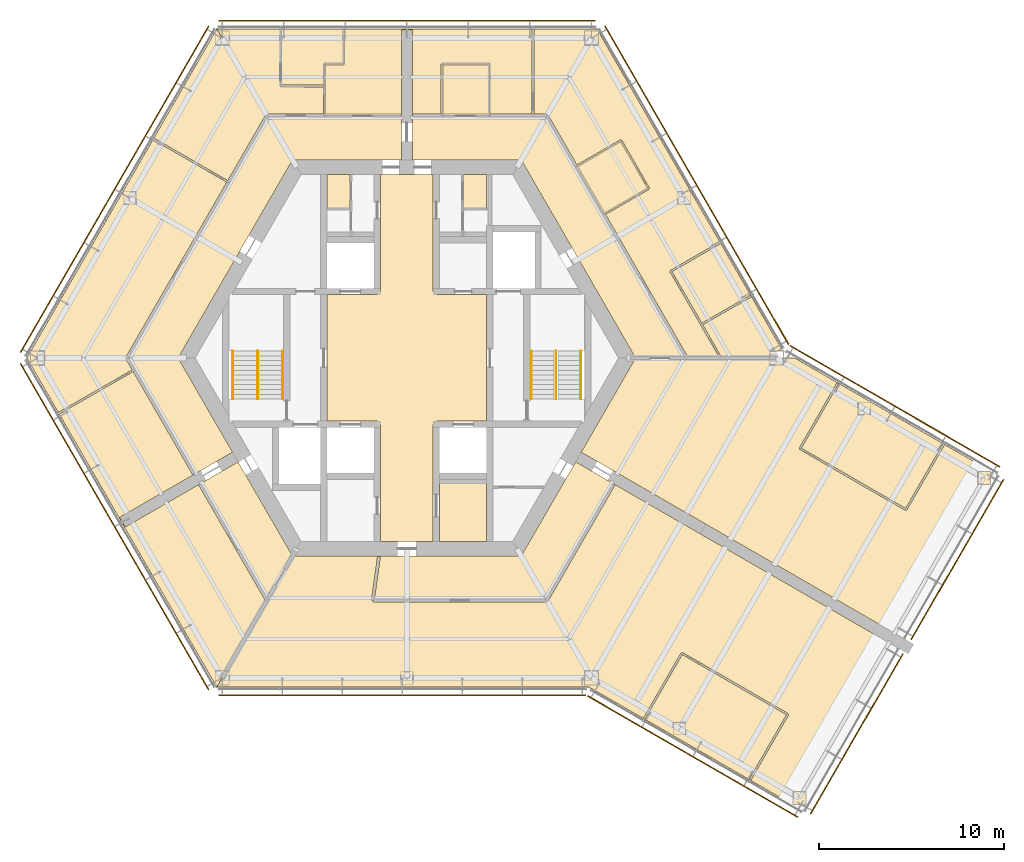
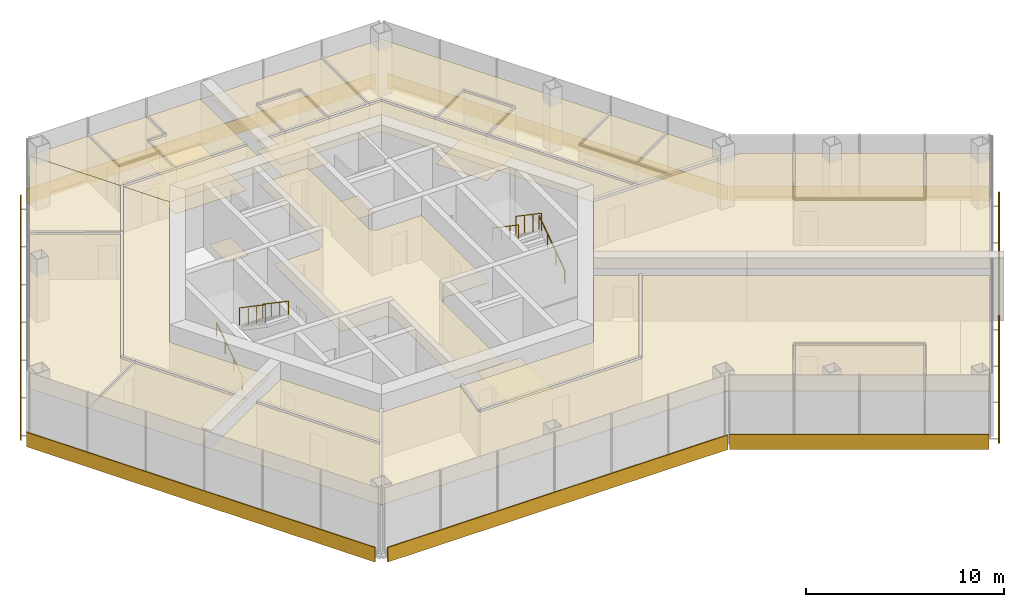
# One storey, part 15 of 15: 29 coverings, 9 shading devices, 6 railings.
"""IFC4 building model written with IfcOpenShell, lengths in metres."""

from ifc_helpers import new_model, si_unit, direction, frame, origin, origin_2d, place, context, subcontext, project, spatial, polyline, rectangle, circle, outline, extrude, material, layer, layer_set, type_object, element, save


model = new_model("IFC4")

# Units and contexts
model_context = context("Model", 3, precision=1e-05, world=origin(), true_north=direction((0.0, 1.0)))
body_context = subcontext(model_context, "Body", "Model", "MODEL_VIEW")
ifc_project = project(units=[si_unit("LENGTHUNIT", "METRE"), si_unit("AREAUNIT", "SQUARE_METRE"), si_unit("VOLUMEUNIT", "CUBIC_METRE"), si_unit("PLANEANGLEUNIT", "RADIAN"), si_unit("MASSUNIT", "GRAM", prefix="KILO")], contexts=[model_context])

# Site, building, storey
site_placement = place(None, origin())
site = spatial("IfcSite", under=ifc_project, at=site_placement, CompositionType="ELEMENT")
building_placement = place(site_placement, origin())
building = spatial("IfcBuilding", under=site, at=building_placement, Name="Kasaneha Research Tower", CompositionType="ELEMENT")
storey_placement = place(building_placement, frame((0.0, 0.0, 220.60009765625)))
storey = spatial("IfcBuildingStorey", under=building, at=storey_placement, Name="L55", CompositionType="ELEMENT", Elevation=220.60009765625)

# Covering
ifc_material_1 = material(Name="Aluminium panel ceiling", Category="aluminium")
ifc_layer_1 = layer(ifc_material_1, 0.0400390625)
ifc_layer_set_1 = layer_set([ifc_layer_1], Name="Lift lobby ceiling 40")
covering_type_1 = type_object("IfcCoveringType", Name="Lift lobby ceiling 40", PredefinedType="CEILING", material=ifc_layer_set_1)
covering_1_placement = place(storey_placement, frame((0.0, 0.0, 2.699951171875)))
element("IfcCovering", 1, at=covering_1_placement, inside=storey, type_object=covering_type_1, Name="Ceiling L55-01", PredefinedType="CEILING", context=body_context, shape_type="SweptSolid", body=[
    extrude(outline(polyline([(1.425048828125, 9.925048828125), (1.425048828125, 3.60009765625), (1.60009765625, 3.60009765625), (1.60009765625, 3.425048828125), (4.324951171875, 3.425048828125), (4.324951171875, -3.425048828125), (1.60009765625, -3.425048828125), (1.60009765625, -3.60009765625), (1.425048828125, -3.60009765625), (1.425048828125, -9.925048828125), (-1.425048828125, -9.925048828125), (-1.425048828125, -3.60009765625), (-1.60009765625, -3.60009765625), (-1.60009765625, -3.425048828125), (-4.324951171875, -3.425048828125), (-4.324951171875, 3.425048828125), (-1.60009765625, 3.425048828125), (-1.60009765625, 3.60009765625), (-1.425048828125, 3.60009765625), (-1.425048828125, 9.925048828125), (1.425048828125, 9.925048828125)])), origin(), (0.0, 0.0, 1.0), 0.0400390625),
])

# Railings
ifc_material_2 = material(Name="Steel", Category="steel")
railing_type_1 = type_object("IfcRailingType", Name="Stair balustrade 1100", PredefinedType="GUARDRAIL", material=ifc_material_2)
for number, where, name in (
    (2, (8.074951171875, 0.375, 2.127197265625), "Stair 1 balustrade L55"),
    (3, (-8.074951171875, 0.375, 2.127197265625), "Stair 2 balustrade L55"),
):
    element("IfcRailing", number, at=place(storey_placement, frame(where)), inside=storey, type_object=railing_type_1, Name=name, PredefinedType="GUARDRAIL", context=body_context, shape_type="SweptSolid", body=[
        extrude(circle(Radius=0.02392578125, at=origin_2d()), frame((0.0, 0.0, 1.076171875), z_axis=(0.0, -0.826240473404, 0.563317565952), x_axis=(1.0, 0.0, 0.0)), (0.0, 0.0, 1.0), 3.14697265625),
        extrude(circle(Radius=0.02099609375, at=origin_2d()), origin(), (0.0, 0.0, 1.0), 1.052001953125),
        extrude(circle(Radius=0.02099609375, at=origin_2d()), frame((0.0, -0.86669921875, 0.5908203125)), (0.0, 0.0, 1.0), 1.052001953125),
        extrude(circle(Radius=0.02099609375, at=origin_2d()), frame((0.0, -1.7333984375, 1.181884765625)), (0.0, 0.0, 1.0), 1.052001953125),
        extrude(circle(Radius=0.02099609375, at=origin_2d()), frame((0.0, -2.60009765625, 1.772705078125)), (0.0, 0.0, 1.0), 1.052001953125),
    ])
ifc_material_3 = material(Name="Steel", Category="steel")
railing_type_2 = type_object("IfcRailingType", Name="Stair handrail 850", PredefinedType="HANDRAIL", material=ifc_material_3)
railing_1_placement = place(storey_placement, frame((9.425048828125, -2.22509765625, 0.17724609375)))
element("IfcRailing", 4, at=railing_1_placement, inside=storey, type_object=railing_type_2, Name="Stair 1 handrail L55", PredefinedType="HANDRAIL", context=body_context, shape_type="SweptSolid", body=[
    extrude(circle(Radius=0.02392578125, at=origin_2d()), frame((0.0, 0.0, 0.826171875), z_axis=(0.0, 0.826240473404, 0.563317565952), x_axis=(-1.0, 0.0, 0.0)), (0.0, 0.0, 1.0), 3.14697265625),
    extrude(circle(Radius=0.02099609375, at=origin_2d()), origin(), (0.0, 0.0, 1.0), 0.802001953125),
    extrude(circle(Radius=0.02099609375, at=origin_2d()), frame((0.0, 0.86669921875, 0.5908203125)), (0.0, 0.0, 1.0), 0.802001953125),
    extrude(circle(Radius=0.02099609375, at=origin_2d()), frame((0.0, 1.7333984375, 1.181884765625)), (0.0, 0.0, 1.0), 0.802001953125),
    extrude(circle(Radius=0.02099609375, at=origin_2d()), frame((0.0, 2.60009765625, 1.772705078125)), (0.0, 0.0, 1.0), 0.802001953125),
])
railing_2_placement = place(storey_placement, frame((6.72509765625, 0.375, 2.127197265625)))
element("IfcRailing", 5, at=railing_2_placement, inside=storey, type_object=railing_type_2, Name="Stair 1 handrail L55", PredefinedType="HANDRAIL", context=body_context, shape_type="SweptSolid", body=[
    extrude(circle(Radius=0.02392578125, at=origin_2d()), frame((0.0, 0.0, 0.826171875), z_axis=(0.0, -0.826240473404, 0.563317565952), x_axis=(1.0, 0.0, 0.0)), (0.0, 0.0, 1.0), 3.14697265625),
    extrude(circle(Radius=0.02099609375, at=origin_2d()), origin(), (0.0, 0.0, 1.0), 0.802001953125),
    extrude(circle(Radius=0.02099609375, at=origin_2d()), frame((0.0, -0.86669921875, 0.5908203125)), (0.0, 0.0, 1.0), 0.802001953125),
    extrude(circle(Radius=0.02099609375, at=origin_2d()), frame((0.0, -1.7333984375, 1.181884765625)), (0.0, 0.0, 1.0), 0.802001953125),
    extrude(circle(Radius=0.02099609375, at=origin_2d()), frame((0.0, -2.60009765625, 1.772705078125)), (0.0, 0.0, 1.0), 0.802001953125),
])
railing_3_placement = place(storey_placement, frame((-9.425048828125, -2.22509765625, 0.17724609375)))
element("IfcRailing", 6, at=railing_3_placement, inside=storey, type_object=railing_type_2, Name="Stair 2 handrail L55", PredefinedType="HANDRAIL", context=body_context, shape_type="SweptSolid", body=[
    extrude(circle(Radius=0.02392578125, at=origin_2d()), frame((0.0, 0.0, 0.826171875), z_axis=(0.0, 0.826240473404, 0.563317565952), x_axis=(-1.0, 0.0, 0.0)), (0.0, 0.0, 1.0), 3.14697265625),
    extrude(circle(Radius=0.02099609375, at=origin_2d()), origin(), (0.0, 0.0, 1.0), 0.802001953125),
    extrude(circle(Radius=0.02099609375, at=origin_2d()), frame((0.0, 0.86669921875, 0.5908203125)), (0.0, 0.0, 1.0), 0.802001953125),
    extrude(circle(Radius=0.02099609375, at=origin_2d()), frame((0.0, 1.7333984375, 1.181884765625)), (0.0, 0.0, 1.0), 0.802001953125),
    extrude(circle(Radius=0.02099609375, at=origin_2d()), frame((0.0, 2.60009765625, 1.772705078125)), (0.0, 0.0, 1.0), 0.802001953125),
])
railing_4_placement = place(storey_placement, frame((-6.72509765625, 0.375, 2.127197265625)))
element("IfcRailing", 7, at=railing_4_placement, inside=storey, type_object=railing_type_2, Name="Stair 2 handrail L55", PredefinedType="HANDRAIL", context=body_context, shape_type="SweptSolid", body=[
    extrude(circle(Radius=0.02392578125, at=origin_2d()), frame((0.0, 0.0, 0.826171875), z_axis=(0.0, -0.826240473404, 0.563317565952), x_axis=(1.0, 0.0, 0.0)), (0.0, 0.0, 1.0), 3.14697265625),
    extrude(circle(Radius=0.02099609375, at=origin_2d()), origin(), (0.0, 0.0, 1.0), 0.802001953125),
    extrude(circle(Radius=0.02099609375, at=origin_2d()), frame((0.0, -0.86669921875, 0.5908203125)), (0.0, 0.0, 1.0), 0.802001953125),
    extrude(circle(Radius=0.02099609375, at=origin_2d()), frame((0.0, -1.7333984375, 1.181884765625)), (0.0, 0.0, 1.0), 0.802001953125),
    extrude(circle(Radius=0.02099609375, at=origin_2d()), frame((0.0, -2.60009765625, 1.772705078125)), (0.0, 0.0, 1.0), 0.802001953125),
])

# Coverings
ifc_material_4 = material(Name="Gypsum ceiling board", Category="gypsum")
ifc_layer_2 = layer(ifc_material_4, 0.02001953125)
ifc_layer_set_2 = layer_set([ifc_layer_2], Name="Suspended ceiling 20")
covering_type_2 = type_object("IfcCoveringType", Name="Suspended ceiling 20", PredefinedType="CEILING", material=ifc_layer_set_2)
covering_2_placement = place(storey_placement, frame((0.0, 0.0, 2.7998046875)))
element("IfcCovering", 8, at=covering_2_placement, inside=storey, type_object=covering_type_2, Name="Ceiling L55-27", PredefinedType="CEILING", context=body_context, shape_type="SweptSolid", body=[
    extrude(outline(polyline([(6.192138671875, 10.72509765625), (0.300048828125, 10.72509765625), (0.300048828125, 11.72509765625), (0.300048828125, 12.72509765625), (0.300048828125, 13.125), (0.320068359375, 13.125), (0.320068359375, 13.050048828125), (1.89501953125, 13.050048828125), (1.905029296875, 13.050048828125), (4.4599609375, 13.050048828125), (4.469970703125, 13.050048828125), (6.826416015625, 13.050048828125), (6.8359375, 13.050048828125), (7.534423828125, 13.050048828125), (9.103759765625, 10.33154296875), (9.103759765625, 10.33154296875), (10.599365234375, 7.7412109375), (10.599365234375, 7.7412109375), (15.06884765625, 0.0), (12.38427734375, 0.0), (6.192138671875, 10.72509765625)])), origin(), (0.0, 0.0, 1.0), 0.02001953125),
])
covering_3_placement = place(storey_placement, frame((0.0, 0.0, 2.7998046875)))
element("IfcCovering", 9, at=covering_3_placement, inside=storey, type_object=covering_type_2, Name="Ceiling L55-28", PredefinedType="CEILING", context=body_context, shape_type="SweptSolid", body=[
    extrude(outline(polyline([(4.41015625, 13.199951171875), (1.954833984375, 13.199951171875), (1.9501953125, 15.875), (4.414794921875, 15.875), (4.41015625, 13.199951171875)])), origin(), (0.0, 0.0, 1.0), 0.02001953125),
])
covering_4_placement = place(storey_placement, frame((0.0, 0.0, 2.7998046875)))
element("IfcCovering", 10, at=covering_4_placement, inside=storey, type_object=covering_type_2, Name="Ceiling L55-29", PredefinedType="CEILING", context=body_context, shape_type="SweptSolid", body=[
    extrude(outline(polyline([(9.2587890625, 10.363525390625), (11.5732421875, 11.70458984375), (13.023193359375, 9.193359375), (10.704345703125, 7.859619140625), (9.2587890625, 10.363525390625)])), origin(), (0.0, 0.0, 1.0), 0.02001953125),
])
covering_5_placement = place(storey_placement, frame((0.0, 0.0, 2.7998046875)))
element("IfcCovering", 11, at=covering_5_placement, inside=storey, type_object=covering_type_2, Name="Ceiling L55-30", PredefinedType="CEILING", context=body_context, shape_type="SweptSolid", body=[
    extrude(outline(polyline([(6.8310546875, 17.820556640625), (6.8310546875, 17.800537109375), (6.781005859375, 17.800537109375), (6.776611328125, 13.199951171875), (4.510009765625, 13.199951171875), (4.514892578125, 15.9248046875), (4.465087890625, 15.925048828125), (4.465087890625, 15.97509765625), (1.89990234375, 15.97509765625), (1.89990234375, 15.925048828125), (1.85009765625, 15.9248046875), (1.85498046875, 13.199951171875), (0.320068359375, 13.199951171875), (0.320068359375, 13.125), (0.300048828125, 13.125), (0.300048828125, 17.7705078125), (0.300048828125, 17.7705078125), (0.0, 17.7705078125), (0.0, 17.820556640625), (6.8310546875, 17.820556640625)])), origin(), (0.0, 0.0, 1.0), 0.02001953125),
])
covering_6_placement = place(storey_placement, frame((0.0, 0.0, 2.7998046875)))
element("IfcCovering", 12, at=covering_6_placement, inside=storey, type_object=covering_type_2, Name="Ceiling L55-31", PredefinedType="CEILING", context=body_context, shape_type="SweptSolid", body=[
    extrude(outline(polyline([(18.63720703125, 3.360595703125), (18.619873046875, 3.3505859375), (18.594970703125, 3.393798828125), (15.97216796875, 1.88525390625), (14.35546875, 4.677001953125), (16.99658203125, 6.201904296875), (18.63720703125, 3.360595703125)])), origin(), (0.0, 0.0, 1.0), 0.02001953125),
])
covering_7_placement = place(storey_placement, frame((0.0, 0.0, 2.7998046875)))
element("IfcCovering", 13, at=covering_7_placement, inside=storey, type_object=covering_type_2, Name="Ceiling L55-32", PredefinedType="CEILING", context=body_context, shape_type="SweptSolid", body=[
    extrude(outline(polyline([(20.28759765625, 0.501708984375), (19.41845703125, 0.0), (16.997802734375, 0.0), (16.986328125, 0.02001953125), (17.029541015625, 0.044921875), (16.022216796875, 1.798583984375), (18.644775390625, 3.30712890625), (18.619873046875, 3.3505859375), (18.63720703125, 3.360595703125), (20.28759765625, 0.501708984375)])), origin(), (0.0, 0.0, 1.0), 0.02001953125),
])
covering_8_placement = place(storey_placement, frame((0.0, 0.0, 2.7998046875)))
element("IfcCovering", 14, at=covering_8_placement, inside=storey, type_object=covering_type_2, Name="Ceiling L55-33", PredefinedType="CEILING", context=body_context, shape_type="SweptSolid", body=[
    extrude(outline(polyline([(11.591796875, 11.7734375), (11.59130859375, 11.773193359375), (11.56640625, 11.816162109375), (9.208740234375, 10.449951171875), (7.642578125, 13.16259765625), (7.578125, 13.125244140625), (7.578125, 13.125244140625), (7.57763671875, 13.125244140625), (7.57763671875, 13.199951171875), (6.87646484375, 13.199951171875), (6.880859375, 17.800537109375), (6.83154296875, 17.800537109375), (6.83154296875, 17.820556640625), (10.28857421875, 17.820556640625), (16.94677734375, 6.28857421875), (14.261962890625, 4.738525390625), (14.286865234375, 4.695556640625), (14.28662109375, 4.6953125), (14.28662109375, 4.695068359375), (14.24365234375, 4.670166015625), (15.9130859375, 1.787841796875), (16.93994140625, 0.0), (15.156005859375, 0.0), (15.144287109375, 0.020263671875), (15.208740234375, 0.0576171875), (10.75439453125, 7.77294921875), (13.116455078125, 9.131591796875), (13.091552734375, 9.1748046875), (13.134765625, 9.199951171875), (11.634765625, 11.798095703125), (11.591796875, 11.773193359375), (11.591796875, 11.7734375)])), origin(), (0.0, 0.0, 1.0), 0.02001953125),
])
covering_9_placement = place(storey_placement, frame((0.0, 0.0, 2.7998046875)))
element("IfcCovering", 15, at=covering_9_placement, inside=storey, type_object=covering_type_2, Name="Ceiling L55-34", PredefinedType="CEILING", context=body_context, shape_type="SweptSolid", body=[
    extrude(outline(polyline([(-0.300048828125, 11.72509765625), (-0.300048828125, 10.72509765625), (-6.192138671875, 10.72509765625), (-7.534423828125, 13.050048828125), (-4.469970703125, 13.050048828125), (-4.46044921875, 13.050048828125), (-0.320068359375, 13.050048828125), (-0.320068359375, 13.125), (-0.300048828125, 13.125), (-0.300048828125, 12.72509765625), (-0.300048828125, 11.72509765625)])), origin(), (0.0, 0.0, 1.0), 0.02001953125),
])
covering_10_placement = place(storey_placement, frame((0.0, 0.0, 2.7998046875)))
element("IfcCovering", 16, at=covering_10_placement, inside=storey, type_object=covering_type_2, Name="Ceiling L55-35", PredefinedType="CEILING", context=body_context, shape_type="SweptSolid", body=[
    extrude(outline(polyline([(0.000244140625, 17.82080078125), (0.0, 17.7705078125), (-0.300048828125, 17.7705078125), (-0.300048828125, 13.125244140625), (-0.320068359375, 13.125244140625), (-0.320068359375, 13.199951171875), (-4.41064453125, 13.199951171875), (-4.4150390625, 14.72509765625), (-4.4150390625, 15.875), (-3.4150390625, 15.875), (-3.4150390625, 15.925048828125), (-3.4150390625, 15.925048828125), (-3.4150390625, 15.925048828125), (-3.364990234375, 15.925048828125), (-3.365234375, 17.800537109375), (-3.415283203125, 17.800537109375), (-3.415283203125, 17.821044921875), (0.000244140625, 17.82080078125)])), origin(), (0.0, 0.0, 1.0), 0.02001953125),
])
covering_11_placement = place(storey_placement, frame((0.0, 0.0, 2.7998046875)))
element("IfcCovering", 17, at=covering_11_placement, inside=storey, type_object=covering_type_2, Name="Ceiling L55-36", PredefinedType="CEILING", context=body_context, shape_type="SweptSolid", body=[
    extrude(outline(polyline([(-3.41552734375, 17.820556640625), (-3.41552734375, 17.800537109375), (-3.465087890625, 17.800537109375), (-3.465087890625, 15.97509765625), (-4.465087890625, 15.97509765625), (-4.465087890625, 15.925048828125), (-4.514892578125, 15.925048828125), (-4.514892578125, 14.77490234375), (-6.781005859375, 14.7705078125), (-6.781005859375, 17.800537109375), (-6.8310546875, 17.800537109375), (-6.8310546875, 17.820556640625), (-3.41552734375, 17.820556640625)])), origin(), (0.0, 0.0, 1.0), 0.02001953125),
])
covering_12_placement = place(storey_placement, frame((0.0, 0.0, 2.7998046875)))
element("IfcCovering", 18, at=covering_12_placement, inside=storey, type_object=covering_type_2, Name="Ceiling L55-37", PredefinedType="CEILING", context=body_context, shape_type="SweptSolid", body=[
    extrude(outline(polyline([(-6.83154296875, 17.800537109375), (-6.880859375, 17.800537109375), (-6.880859375, 14.720458984375), (-6.831298828125, 14.720458984375), (-6.831298828125, 14.72021484375), (-6.830810546875, 14.72021484375), (-6.830810546875, 14.67041015625), (-4.514892578125, 14.6748046875), (-4.5107421875, 13.199951171875), (-7.5546875, 13.199951171875), (-7.5546875, 13.12548828125), (-7.577880859375, 13.12548828125), (-10.28857421875, 17.820556640625), (-6.83154296875, 17.820556640625), (-6.83154296875, 17.800537109375)])), origin(), (0.0, 0.0, 1.0), 0.02001953125),
])
covering_13_placement = place(storey_placement, frame((0.0, 0.0, 2.7998046875)))
element("IfcCovering", 19, at=covering_13_placement, inside=storey, type_object=covering_type_2, Name="Ceiling L55-38", PredefinedType="CEILING", context=body_context, shape_type="SweptSolid", body=[
    extrude(outline(polyline([(-12.38427734375, 0.0), (-9.438232421875, -5.102783203125), (-10.30419921875, -5.602783203125), (-10.30419921875, -5.602783203125), (-11.170166015625, -6.102783203125), (-11.170166015625, -6.102783203125), (-11.5166015625, -6.302734375), (-11.526611328125, -6.285400390625), (-11.461669921875, -6.247802734375), (-14.71484375, -0.613037109375), (-14.71484375, -0.613037109375), (-15.06884765625, 0.0), (-9.596435546875, 9.478515625), (-9.596435546875, 9.478515625), (-7.534423828125, 13.050048828125), (-7.534423828125, 13.050048828125), (-6.192138671875, 10.72509765625), (-12.38427734375, 0.0)])), origin(), (0.0, 0.0, 1.0), 0.02001953125),
])
covering_14_placement = place(storey_placement, frame((0.0, 0.0, 2.7998046875)))
element("IfcCovering", 20, at=covering_14_placement, inside=storey, type_object=covering_type_2, Name="Ceiling L55-39", PredefinedType="CEILING", context=body_context, shape_type="SweptSolid", body=[
    extrude(outline(polyline([(-7.577392578125, 13.12548828125), (-7.58935546875, 13.10498046875), (-7.654296875, 13.142578125), (-9.696533203125, 9.60498046875), (-13.7001953125, 11.911376953125), (-10.288330078125, 17.821044921875), (-7.577392578125, 13.12548828125)])), origin(), (0.0, 0.0, 1.0), 0.02001953125),
])
covering_15_placement = place(storey_placement, frame((0.0, 0.0, 2.7998046875)))
element("IfcCovering", 21, at=covering_15_placement, inside=storey, type_object=covering_type_2, Name="Ceiling L55-40", PredefinedType="CEILING", context=body_context, shape_type="SweptSolid", body=[
    extrude(outline(polyline([(-15.539794921875, -8.62548828125), (-15.3896484375, -8.88525390625), (-15.43310546875, -8.91015625), (-18.823486328125, -3.037841796875), (-14.81982421875, -0.7314453125), (-11.591552734375, -6.322998046875), (-11.526611328125, -6.285400390625), (-11.5166015625, -6.302734375), (-15.539794921875, -8.62548828125), (-15.539794921875, -8.62548828125), (-15.539794921875, -8.62548828125)])), origin(), (0.0, 0.0, 1.0), 0.02001953125),
])
covering_16_placement = place(storey_placement, frame((0.0, 0.0, 2.7998046875)))
element("IfcCovering", 22, at=covering_16_placement, inside=storey, type_object=covering_type_2, Name="Ceiling L55-41", PredefinedType="CEILING", context=body_context, shape_type="SweptSolid", body=[
    extrude(outline(polyline([(-15.156005859375, 0.000244140625), (-15.15576171875, -0.000244140625), (-15.220458984375, -0.03759765625), (-14.869873046875, -0.644775390625), (-18.87353515625, -2.951171875), (-20.577392578125, 0.0), (-13.750244140625, 11.82470703125), (-9.74658203125, 9.5185546875), (-15.220458984375, 0.03759765625), (-15.15576171875, 0.000244140625), (-15.156005859375, 0.000244140625)])), origin(), (0.0, 0.0, 1.0), 0.02001953125),
])
covering_17_placement = place(storey_placement, frame((0.0, 0.0, 2.7998046875)))
element("IfcCovering", 23, at=covering_17_placement, inside=storey, type_object=covering_type_2, Name="Ceiling L55-42", PredefinedType="CEILING", context=body_context, shape_type="SweptSolid", body=[
    extrude(outline(polyline([(-10.8701171875, -6.622314453125), (-10.004150390625, -6.122314453125), (-10.004150390625, -6.122314453125), (-9.13818359375, -5.622314453125), (-6.192138671875, -10.72509765625), (-7.534423828125, -13.050048828125), (-11.1416015625, -6.802001953125), (-11.20654296875, -6.839599609375), (-11.216552734375, -6.822265625), (-10.8701171875, -6.622314453125), (-10.8701171875, -6.622314453125)])), origin(), (0.0, 0.0, 1.0), 0.02001953125),
])
covering_18_placement = place(storey_placement, frame((0.0, 0.0, 2.7998046875)))
element("IfcCovering", 24, at=covering_18_placement, inside=storey, type_object=covering_type_2, Name="Ceiling L55-43", PredefinedType="CEILING", context=body_context, shape_type="SweptSolid", body=[
    extrude(outline(polyline([(-11.20703125, -6.83984375), (-11.271484375, -6.877197265625), (-7.654296875, -13.142578125), (-7.589599609375, -13.105224609375), (-7.577880859375, -13.12548828125), (-10.28857421875, -17.820556640625), (-15.43310546875, -8.91015625), (-15.3896484375, -8.88525390625), (-15.23974609375, -9.14501953125), (-15.23974609375, -9.14501953125), (-15.23974609375, -9.14501953125), (-11.217041015625, -6.822509765625), (-11.20703125, -6.83984375)])), origin(), (0.0, 0.0, 1.0), 0.02001953125),
])
covering_19_placement = place(storey_placement, frame((0.0, 0.0, 2.7998046875)))
element("IfcCovering", 25, at=covering_19_placement, inside=storey, type_object=covering_type_2, Name="Ceiling L55-44", PredefinedType="CEILING", context=body_context, shape_type="SweptSolid", body=[
    extrude(outline(polyline([(29.03173828125, -4.63720703125), (27.006591796875, -8.14453125), (21.360595703125, -4.884765625), (23.37548828125, -1.39453125), (23.332275390625, -1.36962890625), (23.34228515625, -1.352294921875), (29.03173828125, -4.63720703125)])), origin(), (0.0, 0.0, 1.0), 0.02001953125),
])
covering_20_placement = place(storey_placement, frame((0.0, 0.0, 2.7998046875)))
element("IfcCovering", 26, at=covering_20_placement, inside=storey, type_object=covering_type_2, Name="Ceiling L55-45", PredefinedType="CEILING", context=body_context, shape_type="SweptSolid", body=[
    extrude(outline(polyline([(10.30419921875, -5.602783203125), (10.30419921875, -5.602783203125), (9.438232421875, -5.102783203125), (12.38427734375, 0.0), (15.06884765625, 0.0), (15.078857421875, -0.017578125), (15.109375, 0.0), (16.93994140625, 0.0), (16.94287109375, -0.0048828125), (16.951416015625, 0.0), (21.0, 0.0), (23.341796875, -1.35205078125), (23.331787109375, -1.369384765625), (23.288818359375, -1.344482421875), (21.248779296875, -4.8779296875), (21.2919921875, -4.90283203125), (21.291748046875, -4.9033203125), (21.2919921875, -4.9033203125), (21.26708984375, -4.9462890625), (27.0, -8.256103515625), (27.02490234375, -8.212890625), (27.068359375, -8.23779296875), (29.1181640625, -4.68701171875), (31.94140625, -6.31689453125), (26.84130859375, -15.150390625), (11.170166015625, -6.102783203125), (11.170166015625, -6.102783203125), (10.30419921875, -5.602783203125)])), origin(), (0.0, 0.0, 1.0), 0.02001953125),
])
covering_21_placement = place(storey_placement, frame((0.0, 0.0, 2.7998046875)))
element("IfcCovering", 27, at=covering_21_placement, inside=storey, type_object=covering_type_2, Name="Ceiling L55-46", PredefinedType="CEILING", context=body_context, shape_type="SweptSolid", body=[
    extrude(outline(polyline([(9.13818359375, -5.622314453125), (10.004150390625, -6.122314453125), (10.004150390625, -6.122314453125), (10.8701171875, -6.622314453125), (10.8701171875, -6.622314453125), (11.216552734375, -6.822265625), (11.20654296875, -6.839599609375), (11.1416015625, -6.802001953125), (7.534423828125, -13.050048828125), (-1.75830078125, -13.050048828125), (-1.435791015625, -10.75537109375), (-1.510009765625, -10.7451171875), (-1.50732421875, -10.72509765625), (6.192138671875, -10.72509765625), (9.13818359375, -5.622314453125)])), origin(), (0.0, 0.0, 1.0), 0.02001953125),
])
covering_22_placement = place(storey_placement, frame((0.0, 0.0, 2.7998046875)))
element("IfcCovering", 28, at=covering_22_placement, inside=storey, type_object=covering_type_2, Name="Ceiling L55-47", PredefinedType="CEILING", context=body_context, shape_type="SweptSolid", body=[
    extrude(outline(polyline([(12.885498046875, -19.563720703125), (14.910400390625, -16.056396484375), (20.556640625, -19.316162109375), (18.541748046875, -22.806396484375), (18.5849609375, -22.831298828125), (18.574951171875, -22.8486328125), (12.885498046875, -19.563720703125)])), origin(), (0.0, 0.0, 1.0), 0.02001953125),
])
covering_23_placement = place(storey_placement, frame((0.0, 0.0, 2.7998046875)))
element("IfcCovering", 29, at=covering_23_placement, inside=storey, type_object=covering_type_2, Name="Ceiling L55-48", PredefinedType="CEILING", context=body_context, shape_type="SweptSolid", body=[
    extrude(outline(polyline([(-1.5078125, -10.72509765625), (-1.510498046875, -10.744873046875), (-1.58447265625, -10.734619140625), (-1.9189453125, -13.114501953125), (-1.8447265625, -13.125), (-1.8447265625, -13.12548828125), (-1.844482421875, -13.12548828125), (-1.844482421875, -13.199951171875), (7.57763671875, -13.199951171875), (7.57763671875, -13.12548828125), (7.577880859375, -13.12548828125), (7.577880859375, -13.125244140625), (7.642578125, -13.16259765625), (11.271484375, -6.877197265625), (11.20703125, -6.83984375), (11.217041015625, -6.822509765625), (26.541259765625, -15.670166015625), (21.44140625, -24.50341796875), (18.575439453125, -22.848876953125), (18.58544921875, -22.83154296875), (18.62841796875, -22.856201171875), (20.668212890625, -19.322998046875), (20.625244140625, -19.298095703125), (20.625244140625, -19.297607421875), (20.625244140625, -19.297607421875), (20.64990234375, -19.254638671875), (14.917236328125, -15.94482421875), (14.892333984375, -15.98779296875), (14.892333984375, -15.987548828125), (14.89208984375, -15.988037109375), (14.848876953125, -15.963134765625), (12.798828125, -19.513916015625), (9.865966796875, -17.820556640625), (-10.28857421875, -17.820556640625), (-7.5546875, -13.0849609375), (-7.5244140625, -13.0673828125), (-7.534423828125, -13.050048828125), (-6.192138671875, -10.72509765625), (-1.5078125, -10.72509765625)])), origin(), (0.0, 0.0, 1.0), 0.02001953125),
])

# Shading devices
ifc_material_5 = material(Name="Terracotta", Category="masonry")
ifc_layer_3 = layer(ifc_material_5, 0.06005859375)
ifc_layer_set_3 = layer_set([ifc_layer_3], Name="Terracotta baguette screen")
shading_device_type = type_object("IfcShadingDeviceType", Name="Terracotta baguette screen", PredefinedType="USERDEFINED", material=ifc_layer_set_3)
shading_device_1_placement = place(storey_placement, frame((15.696044921875, 9.35498046875, -0.449951171875), z_axis=(0.0, 0.0, 1.0), x_axis=(-0.499999979232, 0.866025415775, 0.0)))
element("IfcShadingDevice", 30, at=shading_device_1_placement, inside=storey, type_object=shading_device_type, Name="Baguette screen L55 01", ObjectType="TERRACOTTA BAGUETTE SCREEN", PredefinedType="USERDEFINED", context=body_context, shape_type="SweptSolid", body=[
    extrude(rectangle(XDim=19.8857421875, YDim=0.06005859375, at=origin_2d()), origin(), (0.0, 0.0, 1.0), 0.89990234375),
])
for number, where, z_axis, x_axis, name in (
    (31, (0.0, 18.2705078125, -0.449951171875), (0.0, 0.0, 1.0), (-1.0, 0.0, 0.0), "Baguette screen L55 02"),
    (32, (-15.82275390625, 9.13525390625, -0.449951171875), (0.0, 0.0, 1.0), (-0.499999995722, -0.866025406254, 0.0), "Baguette screen L55 03"),
    (33, (-15.82275390625, -9.13525390625, -0.449951171875), (0.0, 0.0, 1.0), (0.499999995722, -0.866025406254, 0.0), "Baguette screen L55 04"),
):
    element("IfcShadingDevice", number, at=place(storey_placement, frame(where, z_axis=z_axis, x_axis=x_axis)), inside=storey, type_object=shading_device_type, Name=name, ObjectType="TERRACOTTA BAGUETTE SCREEN", PredefinedType="USERDEFINED", context=body_context, shape_type="SweptSolid", body=[
        extrude(rectangle(XDim=20.392822265625, YDim=0.06005859375, at=origin_2d()), origin(), (0.0, 0.0, 1.0), 0.89990234375),
    ])
shading_device_2_placement = place(storey_placement, frame((-0.253662109375, -18.2705078125, -0.449951171875), z_axis=(0.0, 0.0, 1.0), x_axis=(1.0, 0.0, 0.0)))
element("IfcShadingDevice", 34, at=shading_device_2_placement, inside=storey, type_object=shading_device_type, Name="Baguette screen L55 05", ObjectType="TERRACOTTA BAGUETTE SCREEN", PredefinedType="USERDEFINED", context=body_context, shape_type="SweptSolid", body=[
    extrude(rectangle(XDim=19.8857421875, YDim=0.06005859375, at=origin_2d()), origin(), (0.0, 0.0, 1.0), 0.89990234375),
])
shading_device_3_placement = place(storey_placement, frame((15.483642578125, -21.58349609375, -0.449951171875), z_axis=(0.0, 0.0, 1.0), x_axis=(0.866025411464, -0.499999986699, 0.0)))
element("IfcShadingDevice", 35, at=shading_device_3_placement, inside=storey, type_object=shading_device_type, Name="Baguette screen L55 06", ObjectType="TERRACOTTA BAGUETTE SCREEN", PredefinedType="USERDEFINED", context=body_context, shape_type="SweptSolid", body=[
    extrude(rectangle(XDim=13.13916015625, YDim=0.06005859375, at=origin_2d()), origin(), (0.0, 0.0, 1.0), 0.89990234375),
])
for number, where, z_axis, x_axis, name in (
    (36, (24.35595703125, -20.35498046875, -0.449951171875), (0.0, 0.0, 1.0), (0.500000011442, 0.866025397178, 0.0), "Baguette screen L55 07"),
    (37, (29.80615234375, -10.91552734375, -0.449951171875), (0.0, 0.0, 1.0), (0.500000011442, 0.866025397178, 0.0), "Baguette screen L55 08"),
):
    element("IfcShadingDevice", number, at=place(storey_placement, frame(where, z_axis=z_axis, x_axis=x_axis)), inside=storey, type_object=shading_device_type, Name=name, ObjectType="TERRACOTTA BAGUETTE SCREEN", PredefinedType="USERDEFINED", context=body_context, shape_type="SweptSolid", body=[
        extrude(rectangle(XDim=10.0, YDim=0.06005859375, at=origin_2d()), origin(), (0.0, 0.0, 1.0), 0.89990234375),
    ])
shading_device_4_placement = place(storey_placement, frame((26.43359375, -2.617431640625, -0.449951171875), z_axis=(0.0, 0.0, 1.0), x_axis=(-0.866025411464, 0.499999986699, 0.0)))
element("IfcShadingDevice", 38, at=shading_device_4_placement, inside=storey, type_object=shading_device_type, Name="Baguette screen L55 09", ObjectType="TERRACOTTA BAGUETTE SCREEN", PredefinedType="USERDEFINED", context=body_context, shape_type="SweptSolid", body=[
    extrude(rectangle(XDim=13.13916015625, YDim=0.06005859375, at=origin_2d()), origin(), (0.0, 0.0, 1.0), 0.89990234375),
])

# Coverings
ifc_material_6 = material(Name="Vinyl sheet flooring", Category="plastic")
ifc_layer_4 = layer(ifc_material_6, 0.0048828125)
ifc_layer_set_4 = layer_set([ifc_layer_4], Name="Wet room sheet flooring 5")
covering_type_3 = type_object("IfcCoveringType", Name="Wet room sheet flooring 5", PredefinedType="FLOORING", material=ifc_layer_set_4)
covering_24_placement = place(storey_placement, origin())
element("IfcCovering", 39, at=covering_24_placement, inside=storey, type_object=covering_type_3, Name="Floor finish L55-07", PredefinedType="FLOORING", context=body_context, shape_type="SweptSolid", body=[
    extrude(outline(polyline([(-4.324951171875, 8.125), (-4.324951171875, 9.925048828125), (-3.074951171875, 9.925048828125), (-3.074951171875, 8.125), (-4.324951171875, 8.125)])), origin(), (0.0, 0.0, 1.0), 0.0048828125),
])
covering_25_placement = place(storey_placement, origin())
element("IfcCovering", 40, at=covering_25_placement, inside=storey, type_object=covering_type_3, Name="Floor finish L55-10", PredefinedType="FLOORING", context=body_context, shape_type="SweptSolid", body=[
    extrude(outline(polyline([(4.324951171875, 8.125), (3.074951171875, 8.125), (3.074951171875, 9.925048828125), (4.324951171875, 9.925048828125), (4.324951171875, 8.125)])), origin(), (0.0, 0.0, 1.0), 0.0048828125),
])
covering_26_placement = place(storey_placement, origin())
element("IfcCovering", 41, at=covering_26_placement, inside=storey, type_object=covering_type_3, Name="Floor finish L55-13", PredefinedType="FLOORING", context=body_context, shape_type="SweptSolid", body=[
    extrude(outline(polyline([(1.77490234375, -9.925048828125), (1.77490234375, -6.574951171875), (4.324951171875, -6.574951171875), (4.324951171875, -9.925048828125), (1.77490234375, -9.925048828125)])), origin(), (0.0, 0.0, 1.0), 0.0048828125),
])
covering_27_placement = place(storey_placement, origin())
element("IfcCovering", 42, at=covering_27_placement, inside=storey, type_object=covering_type_3, Name="Floor finish L55-28", PredefinedType="FLOORING", context=body_context, shape_type="SweptSolid", body=[
    extrude(outline(polyline([(1.89990234375, 15.925048828125), (4.465087890625, 15.925048828125), (4.465087890625, 13.125), (1.89990234375, 13.125), (1.89990234375, 15.925048828125)])), origin(), (0.0, 0.0, 1.0), 0.0048828125),
])
covering_28_placement = place(storey_placement, origin())
element("IfcCovering", 43, at=covering_28_placement, inside=storey, type_object=covering_type_3, Name="Floor finish L55-29", PredefinedType="FLOORING", context=body_context, shape_type="SweptSolid", body=[
    extrude(outline(polyline([(11.591552734375, 11.77294921875), (13.091552734375, 9.175048828125), (10.66650390625, 7.77490234375), (9.16650390625, 10.373046875), (11.591552734375, 11.77294921875)])), origin(), (0.0, 0.0, 1.0), 0.0048828125),
])
covering_29_placement = place(storey_placement, origin())
element("IfcCovering", 44, at=covering_29_placement, inside=storey, type_object=covering_type_3, Name="Floor finish L55-35", PredefinedType="FLOORING", context=body_context, shape_type="SweptSolid", body=[
    extrude(outline(polyline([(-3.4150390625, 15.925048828125), (-3.415283203125, 17.821044921875), (0.000244140625, 17.82080078125), (0.0, 17.77001953125), (-0.299560546875, 17.77001953125), (-0.299560546875, 13.125244140625), (-4.465087890625, 13.125), (-4.465087890625, 15.925048828125), (-3.4150390625, 15.925048828125)])), origin(), (0.0, 0.0, 1.0), 0.0048828125),
])

save(model, "model.ifc")
